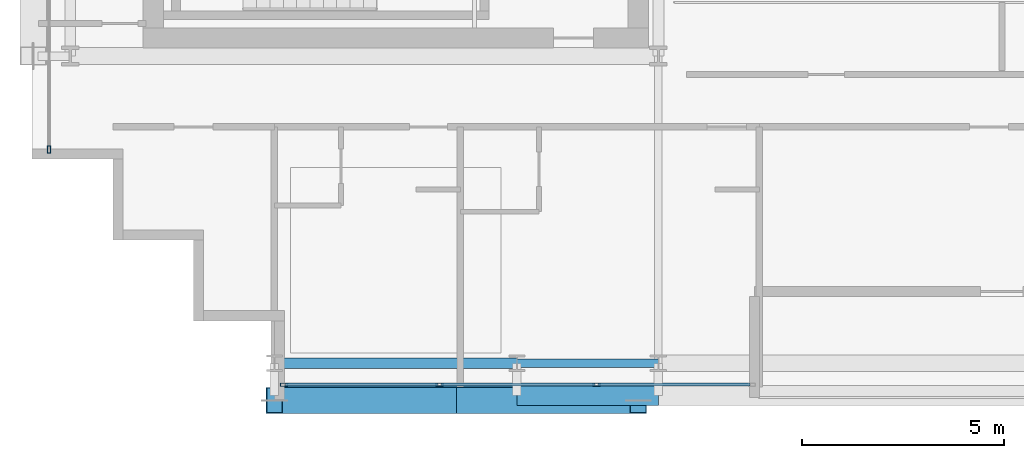
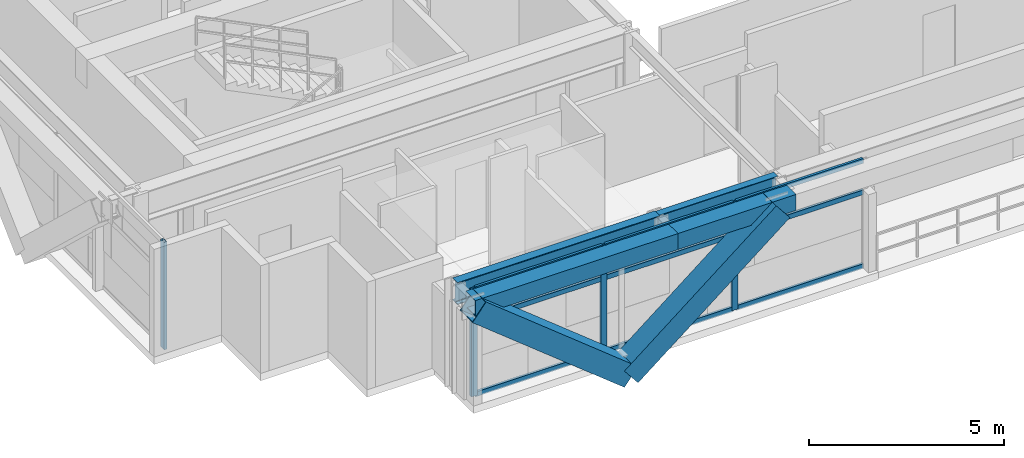
# One storey, part 2 of 32: 15 members, 4 beams, 2 elements without a shape of their own.
"""IFC4 building model written with IfcOpenShell, lengths in metres."""

from ifc_helpers import new_model, si_unit, direction, frame, origin, origin_2d, place, context, subcontext, project, spatial, hollow_rectangle, i_section, extrude, source, transform, mapped, material, layer, layer_set, material_profile, profile_set, type_object, element, aggregate, save


model = new_model("IFC4")

# Units and contexts
model_context = context("Model", 3, precision=1e-05, world=origin(), true_north=direction((0.0, 1.0)))
body_context = subcontext(model_context, "Body", "Model", "MODEL_VIEW")
ifc_project = project(units=[si_unit("LENGTHUNIT", "METRE"), si_unit("AREAUNIT", "SQUARE_METRE"), si_unit("VOLUMEUNIT", "CUBIC_METRE"), si_unit("PLANEANGLEUNIT", "RADIAN"), si_unit("MASSUNIT", "GRAM", prefix="KILO")], contexts=[model_context])

# Site, building, storey
site_placement = place(None, origin())
site = spatial("IfcSite", under=ifc_project, at=site_placement, CompositionType="ELEMENT")
building_placement = place(site_placement, origin())
building = spatial("IfcBuilding", under=site, at=building_placement, Name="Ocotamira Hotel", CompositionType="ELEMENT")
storey_placement = place(building_placement, frame((0.0, 0.0, 206.39990234375)))
storey = spatial("IfcBuildingStorey", under=building, at=storey_placement, Name="L52", CompositionType="ELEMENT", Elevation=206.39990234375)

# Beams
ifc_material_1 = material(Name="Steel ASTM A992 Grade 50", Category="steel")
ifc_material_profile_1 = material_profile(ifc_material_1, i_section(OverallWidth=0.256103515625, OverallDepth=0.693115234375, WebThickness=0.014404296875, FlangeThickness=0.023681640625, FilletRadius=0.01611328125, at=origin_2d()), Name="W27X114")
ifc_profile_set_1 = profile_set([ifc_material_profile_1], Name="Steel ASTM A992 Grade 50")
beam_type_1 = type_object("IfcBeamType", Name="BM-PRIM-W27X114", PredefinedType="BEAM", material=ifc_profile_set_1)
shared_shape_1 = source(origin(), body_context, "Body", "SweptSolid", [
    extrude(i_section(OverallWidth=0.256103515625, OverallDepth=0.693115234375, WebThickness=0.014404296875, FlangeThickness=0.023681640625, FilletRadius=0.01611328125, at=origin_2d()), origin(), (0.0, 0.0, 1.0), 6.0),
])
beam_1_placement = place(storey_placement, frame((14.0, 6.949951171875, 3.023681640625), z_axis=(1.0, 0.0, 0.0), x_axis=(0.0, 1.0, 0.0)))
element("IfcBeam", 1, at=beam_1_placement, inside=storey, type_object=beam_type_1, Name="L52 Girder Y6.95 X14-20", PredefinedType="BEAM", context=body_context, shape_type="MappedRepresentation", body=[
    mapped(shared_shape_1, transform((0.0, 0.0, 0.0), scale=1.0)),
])
ifc_material_profile_2 = material_profile(ifc_material_1, i_section(OverallWidth=0.2099609375, OverallDepth=0.537109375, WebThickness=0.010986328125, FlangeThickness=0.017333984375, FilletRadius=0.012939453125, at=origin_2d()), Name="W21X68")
ifc_profile_set_2 = profile_set([ifc_material_profile_2], Name="Steel ASTM A992 Grade 50")
beam_type_2 = type_object("IfcBeamType", Name="BM-SEC-W21X68", PredefinedType="JOIST", material=ifc_profile_set_2)
shared_shape_2 = source(origin(), body_context, "Body", "SweptSolid", [
    extrude(i_section(OverallWidth=0.2099609375, OverallDepth=0.537109375, WebThickness=0.010986328125, FlangeThickness=0.017333984375, FilletRadius=0.012939453125, at=origin_2d()), origin(), (0.0, 0.0, 1.0), 3.5),
])
beam_2_placement = place(storey_placement, frame((20.0, 6.949951171875, 3.1015625), z_axis=(1.0, 0.0, 0.0), x_axis=(0.0, 1.0, 0.0)))
element("IfcBeam", 2, at=beam_2_placement, inside=storey, type_object=beam_type_2, Name="L52 Girder Y6.95 X20-23.5", PredefinedType="JOIST", context=body_context, shape_type="MappedRepresentation", body=[
    mapped(shared_shape_2, transform((0.0, 0.0, 0.0), scale=1.0)),
])
ifc_material_2 = material(Name="Steel ASTM A500 Grade C", Category="steel")
ifc_material_profile_3 = material_profile(ifc_material_2, hollow_rectangle(XDim=0.5, YDim=0.5, WallThickness=0.02001953125, at=origin_2d()), Name="HSS500X500X20")
ifc_profile_set_3 = profile_set([ifc_material_profile_3], Name="Steel ASTM A500 Grade C")
beam_type_3 = type_object("IfcBeamType", Name="BM-SPAN-HSS500", PredefinedType="USERDEFINED", material=ifc_profile_set_3)
shared_shape_3 = source(origin(), body_context, "Body", "SweptSolid", [
    extrude(hollow_rectangle(XDim=0.5, YDim=0.5, WallThickness=0.02001953125, at=origin_2d()), origin(), (0.0, 0.0, 1.0), 6.0),
])
beam_3_placement = place(storey_placement, frame((14.0, 6.14990234375, 3.1201171875), z_axis=(1.0, 0.0, 0.0), x_axis=(0.0, 1.0, 0.0)))
element("IfcBeam", 3, at=beam_3_placement, inside=storey, type_object=beam_type_3, Name="L52 Edge Spandrel S X14-20", ObjectType="SPANDREL", PredefinedType="USERDEFINED", context=body_context, shape_type="MappedRepresentation", body=[
    mapped(shared_shape_3, transform((0.0, 0.0, 0.0), scale=1.0)),
])
shared_shape_4 = source(origin(), body_context, "Body", "SweptSolid", [
    extrude(hollow_rectangle(XDim=0.5, YDim=0.5, WallThickness=0.02001953125, at=origin_2d()), origin(), (0.0, 0.0, 1.0), 3.5),
])
beam_4_placement = place(storey_placement, frame((20.0, 6.14990234375, 3.1201171875), z_axis=(1.0, 0.0, 0.0), x_axis=(0.0, 1.0, 0.0)))
element("IfcBeam", 4, at=beam_4_placement, inside=storey, type_object=beam_type_3, Name="L52 Edge Spandrel S X20-23.5", ObjectType="SPANDREL", PredefinedType="USERDEFINED", context=body_context, shape_type="MappedRepresentation", body=[
    mapped(shared_shape_4, transform((0.0, 0.0, 0.0), scale=1.0)),
])

# Members
ifc_material_3 = material(Name="Pale-metal coated steel ASTM A913 Grade 65", Category="steel")
ifc_material_profile_4 = material_profile(ifc_material_3, hollow_rectangle(XDim=0.64990234375, YDim=0.64990234375, WallThickness=0.02197265625, at=origin_2d()), Name="BOX650X650X22")
ifc_profile_set_4 = profile_set([ifc_material_profile_4], Name="Pale-metal coated steel ASTM A913 Grade 65")
member_type_1 = type_object("IfcMemberType", Name="MEM-EXO-BOX650", PredefinedType="BRACE", material=ifc_profile_set_4)
shared_shape_5 = source(origin(), body_context, "Body", "SweptSolid", [
    extrude(hollow_rectangle(XDim=0.64990234375, YDim=0.64990234375, WallThickness=0.02197265625, at=origin_2d()), origin(), (0.0, 0.0, 1.0), 5.762939453125),
])
for number, where, z_axis, x_axis, name in (
    (5, (18.5, 6.030029296875, -0.47998046875), (-0.780860543151, 0.0, 0.624705380279), (0.0, -1.0, 0.0), "L52 Exoskeleton Diagrid S0.1"),
    (6, (18.5, 6.030029296875, -0.47998046875), (0.780860543151, 0.0, 0.624705380279), (0.0, 1.0, 0.0), "L52 Exoskeleton Diagrid S0.2"),
):
    element("IfcMember", number, at=place(storey_placement, frame(where, z_axis=z_axis, x_axis=x_axis)), inside=storey, type_object=member_type_1, Name=name, PredefinedType="BRACE", context=body_context, shape_type="MappedRepresentation", body=[
        mapped(shared_shape_5, transform((0.0, 0.0, 0.0), scale=1.0)),
    ])

# Curtain wall, members
ifc_material_4 = material(Name="Anodised pale-metal aluminium and solar glass", Category="aluminium")
ifc_layer = layer(ifc_material_4, 0.199951171875)
ifc_layer_set = layer_set([ifc_layer], Name="Anodised pale-metal aluminium and solar glass")
curtain_wall_type = type_object("IfcCurtainWallType", Name="CW-SYS4-Z3", PredefinedType="NOTDEFINED", material=ifc_layer_set)
curtain_wall_1_placement = place(storey_placement, origin())
curtain_wall_1 = element("IfcCurtainWall", 7, at=curtain_wall_1_placement, inside=storey, type_object=curtain_wall_type, Name="L52 Curtain Wall CW-4 CW-L52-S1", PredefinedType="NOTDEFINED")
ifc_material_5 = material(Name="Anodised pale-metal aluminium 6063-T6", Category="aluminium")
ifc_material_profile_5 = material_profile(ifc_material_5, hollow_rectangle(XDim=0.080078125, YDim=0.179931640625, WallThickness=0.006103515625, at=origin_2d()), Name="HSS180X80X6")
ifc_profile_set_5 = profile_set([ifc_material_profile_5], Name="Anodised pale-metal aluminium 6063-T6")
member_type_2 = type_object("IfcMemberType", Name="CWM-180X75", PredefinedType="MULLION", material=ifc_profile_set_5)
shared_shape_6 = source(origin(), body_context, "Body", "SweptSolid", [
    extrude(hollow_rectangle(XDim=0.080078125, YDim=0.179931640625, WallThickness=0.006103515625, at=origin_2d()), origin(), (0.0, 0.0, 1.0), 3.3701171875),
])
member_1_placement = place(storey_placement, frame((14.239990234375, 6.419921875, 0.0), z_axis=(0.0, 0.0, 1.0), x_axis=(0.0, 1.0, 0.0)))
member_1 = element("IfcMember", 8, at=member_1_placement, type_object=member_type_2, Name="CW-4 mullion 1", PredefinedType="MULLION", context=body_context, shape_type="MappedRepresentation", body=[
    mapped(shared_shape_6, transform((0.0, 0.0, 0.0), scale=1.0)),
])
member_2_placement = place(storey_placement, frame((18.083251953125, 6.419921875, 0.0), z_axis=(0.0, 0.0, 1.0), x_axis=(0.0, 1.0, 0.0)))
member_2 = element("IfcMember", 9, at=member_2_placement, type_object=member_type_2, Name="CW-4 mullion 2", PredefinedType="MULLION", context=body_context, shape_type="MappedRepresentation", body=[
    mapped(shared_shape_6, transform((0.0, 0.0, 0.0), scale=1.0)),
])
member_3_placement = place(storey_placement, frame((21.966552734375, 6.419921875, 0.0), z_axis=(0.0, 0.0, 1.0), x_axis=(0.0, 1.0, 0.0)))
member_3 = element("IfcMember", 10, at=member_3_placement, type_object=member_type_2, Name="CW-4 mullion 3", PredefinedType="MULLION", context=body_context, shape_type="MappedRepresentation", body=[
    mapped(shared_shape_6, transform((0.0, 0.0, 0.0), scale=1.0)),
])

# Curtain wall, member
curtain_wall_2_placement = place(storey_placement, origin())
curtain_wall_2 = element("IfcCurtainWall", 11, at=curtain_wall_2_placement, inside=storey, type_object=curtain_wall_type, Name="L52 Curtain Wall CW-4 CW-L52-W", PredefinedType="NOTDEFINED")
member_4_placement = place(storey_placement, frame((8.419921875, 12.239990234375, 0.0), z_axis=(0.0, 0.0, 1.0), x_axis=(-1.0, 0.0, 0.0)))
member_4 = element("IfcMember", 12, at=member_4_placement, type_object=member_type_2, Name="CW-4 mullion 1", PredefinedType="MULLION", context=body_context, shape_type="MappedRepresentation", body=[
    mapped(shared_shape_6, transform((0.0, 0.0, 0.0), scale=1.0)),
])
aggregate(curtain_wall_2, [member_4])

# Member
ifc_material_profile_6 = material_profile(ifc_material_5, hollow_rectangle(XDim=0.074951171875, YDim=0.14990234375, WallThickness=0.006103515625, at=origin_2d()), Name="HSS150X75X6")
ifc_profile_set_6 = profile_set([ifc_material_profile_6], Name="Anodised pale-metal aluminium 6063-T6")
member_type_3 = type_object("IfcMemberType", Name="CWT-150X75", PredefinedType="USERDEFINED", material=ifc_profile_set_6)
shared_shape_7 = source(origin(), body_context, "Body", "SweptSolid", [
    extrude(hollow_rectangle(XDim=0.074951171875, YDim=0.14990234375, WallThickness=0.006103515625, at=origin_2d()), origin(), (0.0, 0.0, 1.0), 3.76318359375),
])
member_5_placement = place(storey_placement, frame((14.280029296875, 6.419921875, 0.03759765625), z_axis=(1.0, 0.0, 0.0), x_axis=(0.0, 1.0, 0.0)))
member_5 = element("IfcMember", 13, at=member_5_placement, type_object=member_type_3, Name="CW-4 transom 1.1", ObjectType="TRANSOM", PredefinedType="USERDEFINED", context=body_context, shape_type="MappedRepresentation", body=[
    mapped(shared_shape_7, transform((0.0, 0.0, 0.0), scale=1.0)),
])

member_6_placement = place(storey_placement, frame((14.280029296875, 6.419921875, 2.35009765625), z_axis=(1.0, 0.0, 0.0), x_axis=(0.0, 1.0, 0.0)))
member_6 = element("IfcMember", 14, at=member_6_placement, type_object=member_type_3, Name="CW-4 transom 1.2", ObjectType="TRANSOM", PredefinedType="USERDEFINED", context=body_context, shape_type="MappedRepresentation", body=[
    mapped(shared_shape_7, transform((0.0, 0.0, 0.0), scale=1.0)),
])

member_7_placement = place(storey_placement, frame((14.280029296875, 6.419921875, 3.33251953125), z_axis=(1.0, 0.0, 0.0), x_axis=(0.0, 1.0, 0.0)))
member_7 = element("IfcMember", 15, at=member_7_placement, type_object=member_type_3, Name="CW-4 transom 1.3", ObjectType="TRANSOM", PredefinedType="USERDEFINED", context=body_context, shape_type="MappedRepresentation", body=[
    mapped(shared_shape_7, transform((0.0, 0.0, 0.0), scale=1.0)),
])

shared_shape_8 = source(origin(), body_context, "Body", "SweptSolid", [
    extrude(hollow_rectangle(XDim=0.074951171875, YDim=0.14990234375, WallThickness=0.006103515625, at=origin_2d()), origin(), (0.0, 0.0, 1.0), 3.803466796875),
])
member_8_placement = place(storey_placement, frame((18.123291015625, 6.419921875, 0.03759765625), z_axis=(1.0, 0.0, 0.0), x_axis=(0.0, 1.0, 0.0)))
member_8 = element("IfcMember", 16, at=member_8_placement, type_object=member_type_3, Name="CW-4 transom 2.1", ObjectType="TRANSOM", PredefinedType="USERDEFINED", context=body_context, shape_type="MappedRepresentation", body=[
    mapped(shared_shape_8, transform((0.0, 0.0, 0.0), scale=1.0)),
])

member_9_placement = place(storey_placement, frame((18.123291015625, 6.419921875, 2.35009765625), z_axis=(1.0, 0.0, 0.0), x_axis=(0.0, 1.0, 0.0)))
member_9 = element("IfcMember", 17, at=member_9_placement, type_object=member_type_3, Name="CW-4 transom 2.2", ObjectType="TRANSOM", PredefinedType="USERDEFINED", context=body_context, shape_type="MappedRepresentation", body=[
    mapped(shared_shape_8, transform((0.0, 0.0, 0.0), scale=1.0)),
])

member_10_placement = place(storey_placement, frame((18.123291015625, 6.419921875, 3.33251953125), z_axis=(1.0, 0.0, 0.0), x_axis=(0.0, 1.0, 0.0)))
member_10 = element("IfcMember", 18, at=member_10_placement, type_object=member_type_3, Name="CW-4 transom 2.3", ObjectType="TRANSOM", PredefinedType="USERDEFINED", context=body_context, shape_type="MappedRepresentation", body=[
    mapped(shared_shape_8, transform((0.0, 0.0, 0.0), scale=1.0)),
])

shared_shape_9 = source(origin(), body_context, "Body", "SweptSolid", [
    extrude(hollow_rectangle(XDim=0.074951171875, YDim=0.14990234375, WallThickness=0.006103515625, at=origin_2d()), origin(), (0.0, 0.0, 1.0), 3.763427734375),
])
member_11_placement = place(storey_placement, frame((22.006591796875, 6.419921875, 0.03759765625), z_axis=(1.0, 0.0, 0.0), x_axis=(0.0, 1.0, 0.0)))
member_11 = element("IfcMember", 19, at=member_11_placement, type_object=member_type_3, Name="CW-4 transom 3.1", ObjectType="TRANSOM", PredefinedType="USERDEFINED", context=body_context, shape_type="MappedRepresentation", body=[
    mapped(shared_shape_9, transform((0.0, 0.0, 0.0), scale=1.0)),
])

member_12_placement = place(storey_placement, frame((22.006591796875, 6.419921875, 2.35009765625), z_axis=(1.0, 0.0, 0.0), x_axis=(0.0, 1.0, 0.0)))
member_12 = element("IfcMember", 20, at=member_12_placement, type_object=member_type_3, Name="CW-4 transom 3.2", ObjectType="TRANSOM", PredefinedType="USERDEFINED", context=body_context, shape_type="MappedRepresentation", body=[
    mapped(shared_shape_9, transform((0.0, 0.0, 0.0), scale=1.0)),
])

member_13_placement = place(storey_placement, frame((22.006591796875, 6.419921875, 3.33251953125), z_axis=(1.0, 0.0, 0.0), x_axis=(0.0, 1.0, 0.0)))
member_13 = element("IfcMember", 21, at=member_13_placement, type_object=member_type_3, Name="CW-4 transom 3.3", ObjectType="TRANSOM", PredefinedType="USERDEFINED", context=body_context, shape_type="MappedRepresentation", body=[
    mapped(shared_shape_9, transform((0.0, 0.0, 0.0), scale=1.0)),
])

aggregate(curtain_wall_1, [member_1, member_2, member_3, member_5, member_6, member_7, member_8, member_9, member_10, member_11, member_12, member_13])

save(model, "model.ifc")
